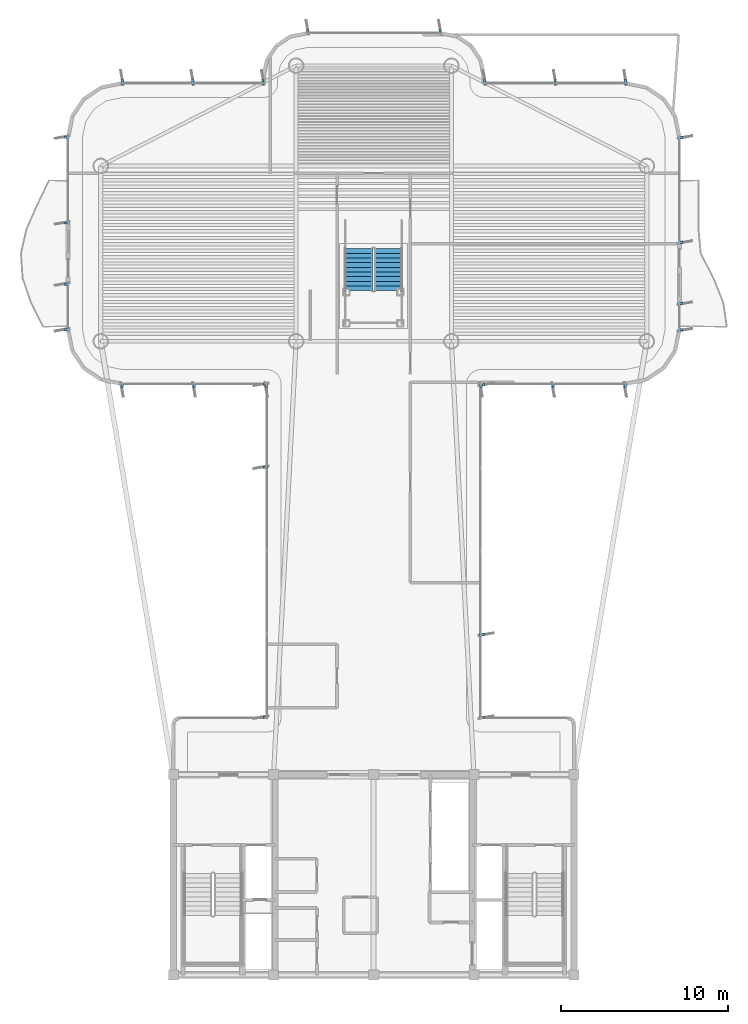
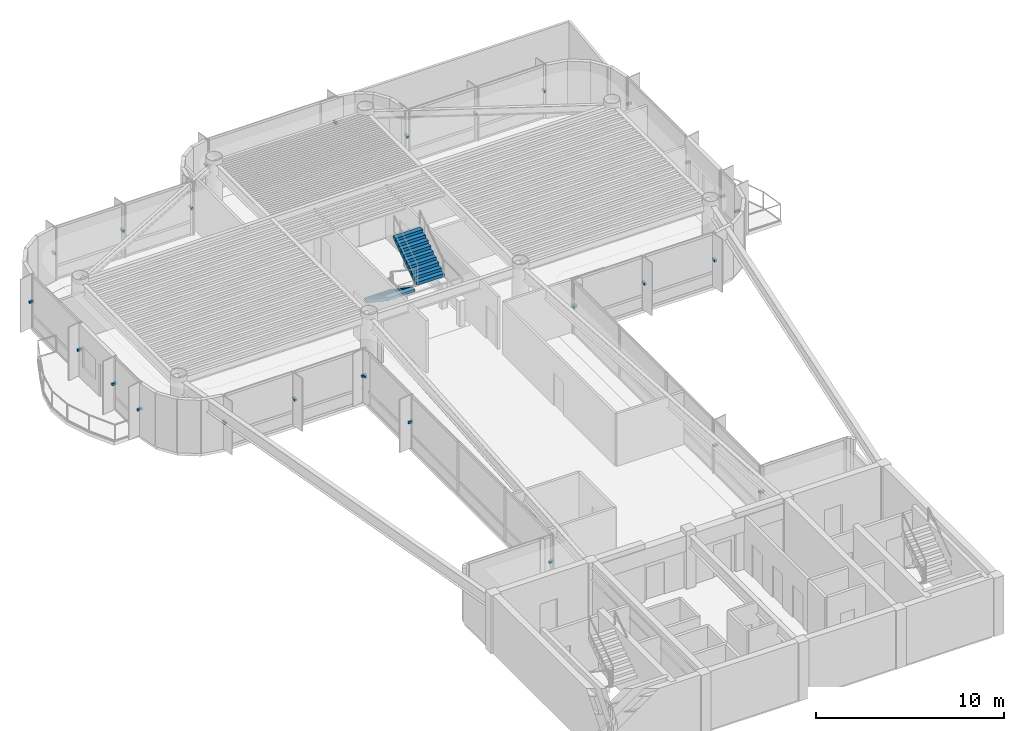
# One storey, part 13 of 17: 28 discrete accessories, 2 stair flights, 1 element without a shape of its own.
"""IFC4 building model written with IfcOpenShell, lengths in metres."""

from ifc_helpers import new_model, si_unit, direction, frame, origin, origin_2d, place, context, subcontext, project, spatial, polyline, rectangle, outline, extrude, source, transform, mapped, material, type_object, element, aggregate, save


model = new_model("IFC4")

# Units and contexts
model_context = context("Model", 3, precision=1e-05, world=origin(), true_north=direction((0.0, 1.0)))
body_context = subcontext(model_context, "Body", "Model", "MODEL_VIEW")
ifc_project = project(units=[si_unit("LENGTHUNIT", "METRE"), si_unit("AREAUNIT", "SQUARE_METRE"), si_unit("VOLUMEUNIT", "CUBIC_METRE"), si_unit("PLANEANGLEUNIT", "RADIAN"), si_unit("MASSUNIT", "GRAM", prefix="KILO")], contexts=[model_context])

# Site, building, storey
site_placement = place(None, origin())
site = spatial("IfcSite", under=ifc_project, at=site_placement, CompositionType="ELEMENT")
building_placement = place(site_placement, origin())
building = spatial("IfcBuilding", under=site, at=building_placement, Name="Brelvock Crest Care Tower", CompositionType="ELEMENT")
storey_placement = place(building_placement, frame((0.0, 0.0, 287.280029296875)))
storey = spatial("IfcBuildingStorey", under=building, at=storey_placement, Name="L73", CompositionType="ELEMENT", Elevation=287.280029296875)

# Stair, stair flights
ifc_material_1 = material(Name="Concrete N40 (40 MPa)", Category="concrete")
stair_type = type_object("IfcStairType", Name="ST-FEA1", PredefinedType="HALF_TURN_STAIR", material=ifc_material_1)
stair_placement = place(storey_placement, origin())
stair = element("IfcStair", 1, at=stair_placement, inside=storey, type_object=stair_type, Name="L73 Sky Observation Gallery Stair ST-6", PredefinedType="HALF_TURN_STAIR")
stair_flight_type = type_object("IfcStairFlightType", Name="STF-1", PredefinedType="STRAIGHT", material=ifc_material_1)
stair_flight_1_placement = place(storey_placement, frame((35.080078125, 49.5, 0.0), z_axis=(0.0, 0.0, 1.0), x_axis=(0.0, -1.0, 0.0)))
stair_flight_1 = element("IfcStairFlight", 2, at=stair_flight_1_placement, type_object=stair_flight_type, Name="ST-6 flight 1", NumberOfRisers=10, NumberOfTreads=9, PredefinedType="STRAIGHT", RiserHeight=0.189, TreadLength=0.28, context=body_context, shape_type="SweptSolid", body=[
    extrude(outline(polyline([(-0.00390625, -0.014892578125), (-0.00390625, -0.0078125), (-0.00390625, -0.00048828125), (-0.00390625, 0.0068359375), (-0.00390625, 0.01416015625), (-0.00390625, 0.021484375), (-0.00390625, 0.02880859375), (-0.00390625, 0.035888671875), (-0.00390625, 0.043212890625), (-0.00390625, 0.050537109375), (-0.00390625, 0.057861328125), (-0.00390625, 0.065185546875), (-0.00390625, 0.072509765625), (-0.00390625, 0.07958984375), (-0.00390625, 0.0869140625), (-0.00390625, 0.09423828125), (-0.00390625, 0.1015625), (-0.00390625, 0.10888671875), (-0.00390625, 0.1162109375), (-0.00390625, 0.12353515625), (-0.00390625, 0.130615234375), (-0.00390625, 0.137939453125), (-0.00390625, 0.145263671875), (-0.00390625, 0.152587890625), (-0.00390625, 0.159912109375), (-0.00390625, 0.167236328125), (-0.00390625, 0.17431640625), (-0.00390625, 0.181640625), (-0.00390625, 0.18896484375), (0.0, 0.18896484375), (0.280029296875, 0.18896484375), (0.280029296875, 0.3779296875), (0.56005859375, 0.3779296875), (0.56005859375, 0.56689453125), (0.840087890625, 0.56689453125), (0.840087890625, 0.756103515625), (1.1201171875, 0.756103515625), (1.1201171875, 0.945068359375), (1.39990234375, 0.945068359375), (1.39990234375, 1.134033203125), (1.679931640625, 1.134033203125), (1.679931640625, 1.322998046875), (1.9599609375, 1.322998046875), (1.9599609375, 1.511962890625), (2.239990234375, 1.511962890625), (2.239990234375, 1.700927734375), (2.52001953125, 1.700927734375), (2.52392578125, 1.700927734375), (2.523681640625, 1.70068359375), (2.52392578125, 1.700439453125), (2.523681640625, 1.699951171875), (2.52392578125, 1.69970703125), (2.523681640625, 1.699462890625), (2.52392578125, 1.698974609375), (2.523681640625, 1.69873046875), (2.52392578125, 1.698486328125), (2.523681640625, 1.697998046875), (2.52392578125, 1.69775390625), (2.523681640625, 1.697509765625), (2.52392578125, 1.697021484375), (2.523681640625, 1.69677734375), (2.52392578125, 1.696533203125), (2.523681640625, 1.6962890625), (2.52392578125, 1.69580078125), (2.523681640625, 1.695556640625), (2.52392578125, 1.6953125), (2.523681640625, 1.69482421875), (2.52392578125, 1.694580078125), (2.523681640625, 1.6943359375), (2.52392578125, 1.69384765625), (2.523681640625, 1.693603515625), (2.52392578125, 1.693359375), (2.523681640625, 1.69287109375), (2.52392578125, 1.692626953125), (2.523681640625, 1.6923828125), (2.52392578125, 1.69189453125), (2.52001953125, 1.520263671875), (0.267822265625, 0.0), (0.0, 0.0), (0.0, -0.014892578125), (-0.00390625, -0.014892578125)])), frame((0.0, 0.83984375, 0.0), z_axis=(0.0, -1.0, 0.0), x_axis=(1.0, 0.0, 0.0)), (0.0, 0.0, 1.0), 1.679931640625),
])
stair_flight_2_placement = place(storey_placement, frame((36.8798828125, 46.97998046875, 1.889892578125), z_axis=(0.0, 0.0, 1.0), x_axis=(0.0, 1.0, 0.0)))
stair_flight_2 = element("IfcStairFlight", 3, at=stair_flight_2_placement, type_object=stair_flight_type, Name="ST-6 flight 2", NumberOfRisers=10, NumberOfTreads=9, PredefinedType="STRAIGHT", RiserHeight=0.189, TreadLength=0.28, context=body_context, shape_type="SweptSolid", body=[
    extrude(outline(polyline([(-0.00390625, -0.014892578125), (-0.00390625, -0.0078125), (-0.00390625, -0.00048828125), (-0.00390625, 0.0068359375), (-0.00390625, 0.01416015625), (-0.00390625, 0.021484375), (-0.00390625, 0.02880859375), (-0.00390625, 0.035888671875), (-0.00390625, 0.043212890625), (-0.00390625, 0.050537109375), (-0.00390625, 0.057861328125), (-0.00390625, 0.065185546875), (-0.00390625, 0.072509765625), (-0.00390625, 0.07958984375), (-0.00390625, 0.0869140625), (-0.00390625, 0.09423828125), (-0.00390625, 0.1015625), (-0.00390625, 0.10888671875), (-0.00390625, 0.1162109375), (-0.00390625, 0.12353515625), (-0.00390625, 0.130615234375), (-0.00390625, 0.137939453125), (-0.00390625, 0.145263671875), (-0.00390625, 0.152587890625), (-0.00390625, 0.159912109375), (-0.00390625, 0.167236328125), (-0.00390625, 0.17431640625), (-0.00390625, 0.181640625), (-0.00390625, 0.18896484375), (0.0, 0.18896484375), (0.280029296875, 0.18896484375), (0.280029296875, 0.3779296875), (0.56005859375, 0.3779296875), (0.56005859375, 0.56689453125), (0.840087890625, 0.56689453125), (0.840087890625, 0.756103515625), (1.1201171875, 0.756103515625), (1.1201171875, 0.945068359375), (1.39990234375, 0.945068359375), (1.39990234375, 1.134033203125), (1.679931640625, 1.134033203125), (1.679931640625, 1.322998046875), (1.9599609375, 1.322998046875), (1.9599609375, 1.511962890625), (2.239990234375, 1.511962890625), (2.239990234375, 1.700927734375), (2.52001953125, 1.700927734375), (2.52392578125, 1.700927734375), (2.523681640625, 1.70068359375), (2.52392578125, 1.700439453125), (2.523681640625, 1.699951171875), (2.52392578125, 1.69970703125), (2.523681640625, 1.699462890625), (2.52392578125, 1.698974609375), (2.523681640625, 1.69873046875), (2.52392578125, 1.698486328125), (2.523681640625, 1.697998046875), (2.52392578125, 1.69775390625), (2.523681640625, 1.697509765625), (2.52392578125, 1.697021484375), (2.523681640625, 1.69677734375), (2.52392578125, 1.696533203125), (2.523681640625, 1.6962890625), (2.52392578125, 1.69580078125), (2.523681640625, 1.695556640625), (2.52392578125, 1.6953125), (2.523681640625, 1.69482421875), (2.52392578125, 1.694580078125), (2.523681640625, 1.6943359375), (2.52392578125, 1.69384765625), (2.523681640625, 1.693603515625), (2.52392578125, 1.693359375), (2.523681640625, 1.69287109375), (2.52392578125, 1.692626953125), (2.523681640625, 1.6923828125), (2.52392578125, 1.69189453125), (2.52001953125, 1.520263671875), (0.267822265625, 0.0), (0.0, 0.0), (0.0, -0.014892578125), (-0.00390625, -0.014892578125)])), frame((0.0, 0.83984375, 0.0), z_axis=(0.0, -1.0, 0.0), x_axis=(1.0, 0.0, 0.0)), (0.0, 0.0, 1.0), 1.679931640625),
])
aggregate(stair, [stair_flight_1, stair_flight_2])

# Discrete accessories
ifc_material_2 = material(Name="Steel Grade 350", Category="steel")
discrete_accessory_type = type_object("IfcDiscreteAccessoryType", Name="ACC-BRK1", PredefinedType="BRACKET", material=ifc_material_2)
shared_shape = source(origin(), body_context, "Body", "SweptSolid", [
    extrude(rectangle(XDim=0.280029296875, YDim=0.139892578125, at=origin_2d()), origin(), (0.0, 0.0, 1.0), 0.139892578125),
])
for number, where, z_axis, x_axis, name in (
    (4, (29.52001953125, 21.4326171875, 1.66015625), (0.0, 0.0, 1.0), (-1.0, 0.0, 0.0), "L73 Facade Fin Bracket E11-01"),
    (5, (29.52001953125, 36.39990234375, 1.66015625), (0.0, 0.0, 1.0), (-1.0, 0.0, 0.0), "L73 Facade Fin Bracket E11-04"),
    (6, (29.52001953125, 41.367431640625, 1.66015625), (0.0, 0.0, 1.0), (-1.0, 0.0, 0.0), "L73 Facade Fin Bracket E11-05"),
    (7, (29.5673828125, 41.320068359375, 1.66015625), (0.0, 0.0, 1.0), (0.0, -1.0, 0.0), "L73 Facade Fin Bracket E12-01"),
    (8, (25.25, 41.320068359375, 1.66015625), (0.0, 0.0, 1.0), (0.0, -1.0, 0.0), "L73 Facade Fin Bracket E12-02"),
    (9, (20.9326171875, 41.320068359375, 1.66015625), (0.0, 0.0, 1.0), (0.0, -1.0, 0.0), "L73 Facade Fin Bracket E12-03"),
    (10, (17.6201171875, 44.632568359375, 1.66015625), (0.0, 0.0, 1.0), (-1.0, 0.0, 0.0), "L73 Facade Fin Bracket E17A-01"),
    (11, (17.6201171875, 47.367431640625, 1.66015625), (0.0, 0.0, 1.0), (-1.0, 0.0, 0.0), "L73 Facade Fin Bracket E17A-02"),
    (12, (17.6201171875, 51.032470703125, 1.66015625), (0.0, 0.0, 1.0), (-1.0, 0.0, 0.0), "L73 Facade Fin Bracket E17B-01"),
    (13, (17.6201171875, 56.16748046875, 1.66015625), (0.0, 0.0, 1.0), (-1.0, 0.0, 0.0), "L73 Facade Fin Bracket E17B-02"),
    (14, (20.9326171875, 59.47998046875, 1.66015625), (0.0, 0.0, 1.0), (0.0, 1.0, 0.0), "L73 Facade Fin Bracket E22-01"),
    (15, (25.14990234375, 59.47998046875, 1.66015625), (0.0, 0.0, 1.0), (0.0, 1.0, 0.0), "L73 Facade Fin Bracket E22-02"),
    (16, (29.367431640625, 59.47998046875, 1.66015625), (0.0, 0.0, 1.0), (0.0, 1.0, 0.0), "L73 Facade Fin Bracket E22-03"),
    (17, (32.032470703125, 62.47998046875, 1.66015625), (0.0, 0.0, 1.0), (0.0, 1.0, 0.0), "L73 Facade Fin Bracket E28-01"),
    (18, (39.967529296875, 62.47998046875, 1.66015625), (0.0, 0.0, 1.0), (0.0, 1.0, 0.0), "L73 Facade Fin Bracket E28-02"),
    (19, (42.632568359375, 59.47998046875, 1.66015625), (0.0, 0.0, 1.0), (0.0, 1.0, 0.0), "L73 Facade Fin Bracket E34-01"),
    (20, (46.85009765625, 59.47998046875, 1.66015625), (0.0, 0.0, 1.0), (0.0, 1.0, 0.0), "L73 Facade Fin Bracket E34-02"),
    (21, (51.0673828125, 59.47998046875, 1.66015625), (0.0, 0.0, 1.0), (0.0, 1.0, 0.0), "L73 Facade Fin Bracket E34-03"),
    (22, (54.3798828125, 56.16748046875, 1.66015625), (0.0, 0.0, 1.0), (1.0, 0.0, 0.0), "L73 Facade Fin Bracket E39A-01"),
    (23, (54.3798828125, 49.882568359375, 1.66015625), (0.0, 0.0, 1.0), (1.0, 0.0, 0.0), "L73 Facade Fin Bracket E39A-02"),
    (24, (54.3798828125, 46.217529296875, 1.66015625), (0.0, 0.0, 1.0), (1.0, 0.0, 0.0), "L73 Facade Fin Bracket E39B-01"),
    (25, (54.3798828125, 44.632568359375, 1.66015625), (0.0, 0.0, 1.0), (1.0, 0.0, 0.0), "L73 Facade Fin Bracket E39B-02"),
    (26, (51.0673828125, 41.320068359375, 1.66015625), (0.0, 0.0, 1.0), (0.0, -1.0, 0.0), "L73 Facade Fin Bracket E44-01"),
    (27, (46.75, 41.320068359375, 1.66015625), (0.0, 0.0, 1.0), (0.0, -1.0, 0.0), "L73 Facade Fin Bracket E44-02"),
    (28, (42.4326171875, 41.320068359375, 1.66015625), (0.0, 0.0, 1.0), (0.0, -1.0, 0.0), "L73 Facade Fin Bracket E44-03"),
    (29, (42.47998046875, 41.367431640625, 1.66015625), (0.0, 0.0, 1.0), (1.0, 0.0, 0.0), "L73 Facade Fin Bracket E45-01"),
    (30, (42.47998046875, 26.39990234375, 1.66015625), (0.0, 0.0, 1.0), (1.0, 0.0, 0.0), "L73 Facade Fin Bracket E45-04"),
    (31, (42.47998046875, 21.4326171875, 1.66015625), (0.0, 0.0, 1.0), (1.0, 0.0, 0.0), "L73 Facade Fin Bracket E45-05"),
):
    element("IfcDiscreteAccessory", number, at=place(storey_placement, frame(where, z_axis=z_axis, x_axis=x_axis)), inside=storey, type_object=discrete_accessory_type, Name=name, PredefinedType="BRACKET", context=body_context, shape_type="MappedRepresentation", body=[
        mapped(shared_shape, transform((0.0, 0.0, 0.0), x_axis=(1.0, 0.0, 0.0), y_axis=(0.0, 1.0, 0.0), z_axis=(0.0, 0.0, 1.0), scale=1.0)),
    ])

save(model, "model.ifc")
